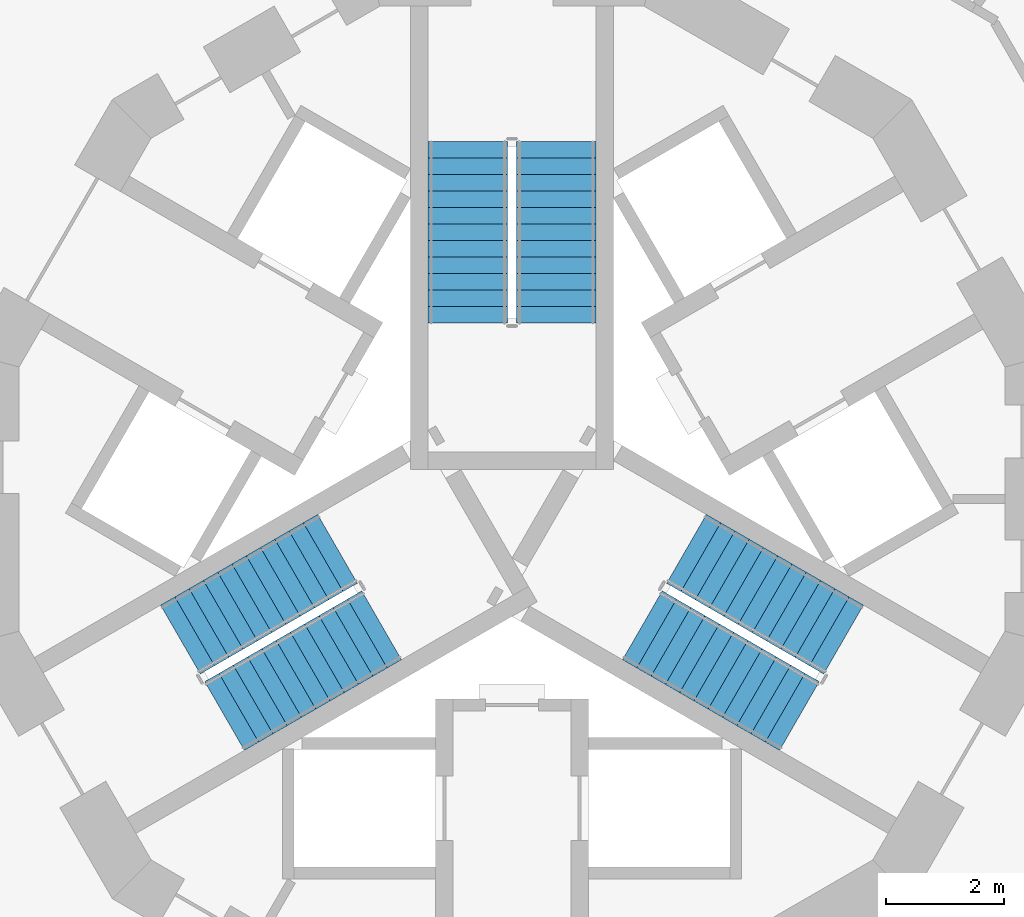
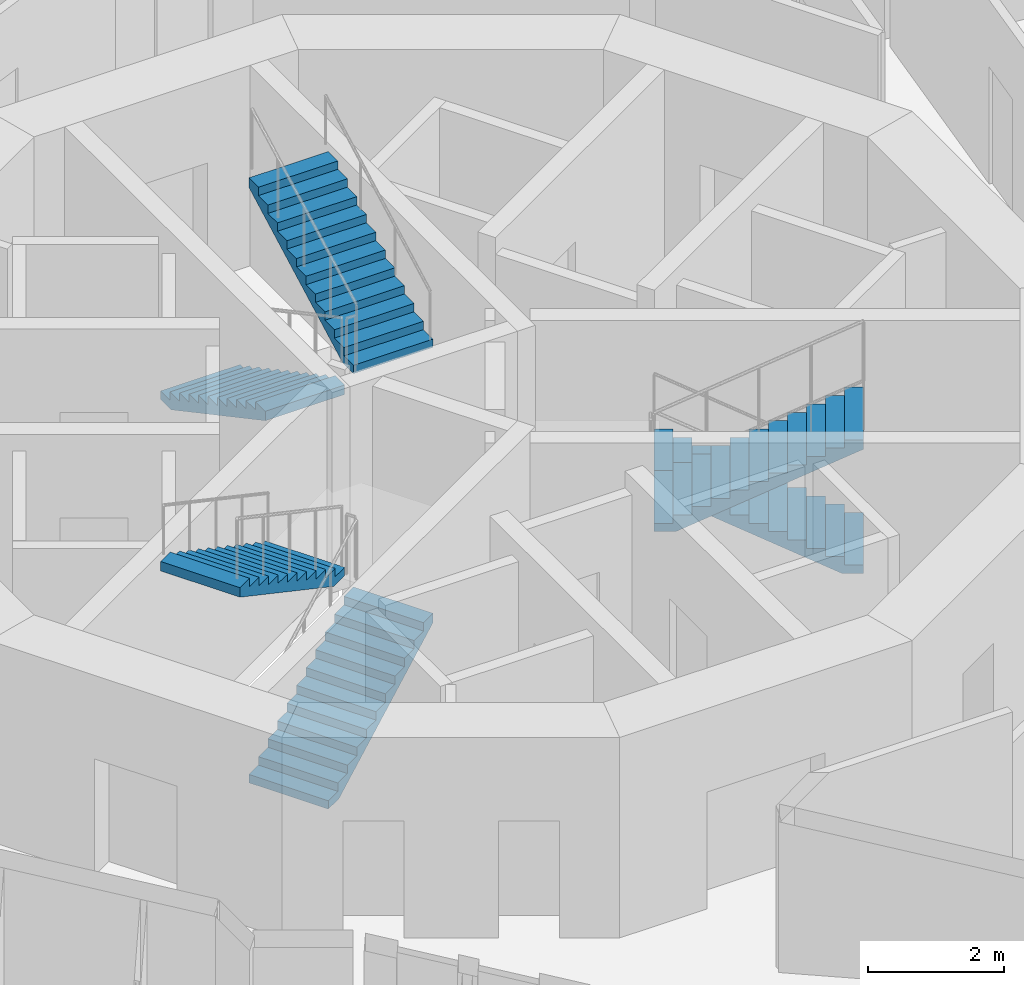
# One storey, part 11 of 19: 6 stair flights, 3 elements without a shape of their own.
"""IFC4 building model written with IfcOpenShell, lengths in metres."""

from ifc_helpers import new_model, si_unit, direction, frame, origin, place, context, subcontext, project, spatial, polyline, outline, extrude, material, type_object, element, aggregate, save


model = new_model("IFC4")

# Units and contexts
model_context = context("Model", 3, precision=1e-05, world=origin(), true_north=direction((0.0, 1.0)))
body_context = subcontext(model_context, "Body", "Model", "MODEL_VIEW")
ifc_project = project(units=[si_unit("LENGTHUNIT", "METRE"), si_unit("AREAUNIT", "SQUARE_METRE"), si_unit("VOLUMEUNIT", "CUBIC_METRE"), si_unit("PLANEANGLEUNIT", "RADIAN"), si_unit("MASSUNIT", "GRAM", prefix="KILO")], contexts=[model_context])

# Site, building, storey
site_placement = place(None, origin())
site = spatial("IfcSite", under=ifc_project, at=site_placement, CompositionType="ELEMENT")
building_placement = place(site_placement, origin())
building = spatial("IfcBuilding", under=site, at=building_placement, Name="Trine Commons Tower", CompositionType="ELEMENT")
storey_placement = place(building_placement, frame((0.0, 0.0, 124.199951171875)))
storey = spatial("IfcBuildingStorey", under=building, at=storey_placement, Name="L31", CompositionType="ELEMENT", Elevation=124.199951171875)

# Stair, stair flights
ifc_material = material(Name="Concrete C50/60", Category="concrete")
stair_type = type_object("IfcStairType", Name="Exit stair, dog-leg, 24 risers of 150 mm", PredefinedType="HALF_TURN_STAIR", material=ifc_material)
stair_1_placement = place(storey_placement, origin())
stair_1 = element("IfcStair", 1, at=stair_1_placement, inside=storey, type_object=stair_type, Name="L31 Exit stair ST1B", PredefinedType="HALF_TURN_STAIR")
stair_flight_type = type_object("IfcStairFlightType", Name="Stair flight, 1350 wide, 12 risers of 150 mm", PredefinedType="STRAIGHT", material=ifc_material)
stair_flight_1_placement = place(storey_placement, frame((79.25, 68.570556640625, 0.0), z_axis=(0.0, 0.0, 1.0), x_axis=(0.0, -1.0, 0.0)))
stair_flight_1 = element("IfcStairFlight", 2, at=stair_flight_1_placement, type_object=stair_flight_type, Name="ST1B flight 1", NumberOfRisers=12, NumberOfTreads=11, PredefinedType="STRAIGHT", RiserHeight=0.15, TreadLength=0.28, context=body_context, shape_type="SweptSolid", body=[
    extrude(outline(polyline([(0.0, 0.0), (0.0, 0.14990234375), (0.280029296875, 0.14990234375), (0.280029296875, 0.300048828125), (0.56005859375, 0.300048828125), (0.56005859375, 0.449951171875), (0.840087890625, 0.449951171875), (0.840087890625, 0.60009765625), (1.1201171875, 0.60009765625), (1.1201171875, 0.75), (1.39990234375, 0.75), (1.39990234375, 0.89990234375), (1.679931640625, 0.89990234375), (1.679931640625, 1.050048828125), (1.9599609375, 1.050048828125), (1.9599609375, 1.199951171875), (2.239990234375, 1.199951171875), (2.239990234375, 1.35009765625), (2.52001953125, 1.35009765625), (2.52001953125, 1.5), (2.800048828125, 1.5), (2.800048828125, 1.64990234375), (3.080078125, 1.64990234375), (3.080078125, 1.800048828125), (3.080078125, 1.47998046875), (0.3173828125, 0.0), (0.0, 0.0)])), frame((0.0, 0.675048828125, 0.0), z_axis=(0.0, -1.0, 0.0), x_axis=(1.0, 0.0, 0.0)), (0.0, 0.0, 1.0), 1.35009765625),
])
stair_flight_2_placement = place(storey_placement, frame((80.75, 65.490478515625, 1.800048828125), z_axis=(0.0, 0.0, 1.0), x_axis=(0.0, 1.0, 0.0)))
stair_flight_2 = element("IfcStairFlight", 3, at=stair_flight_2_placement, type_object=stair_flight_type, Name="ST1B flight 2", NumberOfRisers=12, NumberOfTreads=11, PredefinedType="STRAIGHT", RiserHeight=0.15, TreadLength=0.28, context=body_context, shape_type="SweptSolid", body=[
    extrude(outline(polyline([(0.0, 0.0), (0.0, 0.14990234375), (0.280029296875, 0.14990234375), (0.280029296875, 0.300048828125), (0.56005859375, 0.300048828125), (0.56005859375, 0.449951171875), (0.840087890625, 0.449951171875), (0.840087890625, 0.60009765625), (1.1201171875, 0.60009765625), (1.1201171875, 0.75), (1.39990234375, 0.75), (1.39990234375, 0.89990234375), (1.679931640625, 0.89990234375), (1.679931640625, 1.050048828125), (1.9599609375, 1.050048828125), (1.9599609375, 1.199951171875), (2.239990234375, 1.199951171875), (2.239990234375, 1.35009765625), (2.52001953125, 1.35009765625), (2.52001953125, 1.5), (2.800048828125, 1.5), (2.800048828125, 1.64990234375), (3.080078125, 1.64990234375), (3.080078125, 1.800048828125), (3.080078125, 1.47998046875), (0.3173828125, 0.0), (0.0, 0.0)])), frame((0.0, 0.675048828125, 0.0), z_axis=(0.0, -1.0, 0.0), x_axis=(1.0, 0.0, 0.0)), (0.0, 0.0, 1.0), 1.35009765625),
])
aggregate(stair_1, [stair_flight_1, stair_flight_2])

stair_2_placement = place(storey_placement, origin())
stair_2 = element("IfcStair", 4, at=stair_2_placement, inside=storey, type_object=stair_type, Name="L31 Exit stair ST2B", PredefinedType="HALF_TURN_STAIR")
stair_flight_3_placement = place(storey_placement, frame((75.11767578125, 58.815185546875, 0.0), z_axis=(0.0, 0.0, 1.0), x_axis=(0.866025403784, 0.5, 0.0)))
stair_flight_3 = element("IfcStairFlight", 5, at=stair_flight_3_placement, type_object=stair_flight_type, Name="ST2B flight 1", NumberOfRisers=12, NumberOfTreads=11, PredefinedType="STRAIGHT", RiserHeight=0.15, TreadLength=0.28, context=body_context, shape_type="SweptSolid", body=[
    extrude(outline(polyline([(0.0, 0.0), (0.0, 0.14990234375), (0.280029296875, 0.14990234375), (0.280029296875, 0.300048828125), (0.56005859375, 0.300048828125), (0.56005859375, 0.449951171875), (0.840087890625, 0.449951171875), (0.840087890625, 0.60009765625), (1.1201171875, 0.60009765625), (1.1201171875, 0.75), (1.39990234375, 0.75), (1.39990234375, 0.89990234375), (1.679931640625, 0.89990234375), (1.679931640625, 1.050048828125), (1.9599609375, 1.050048828125), (1.9599609375, 1.199951171875), (2.239990234375, 1.199951171875), (2.239990234375, 1.35009765625), (2.52001953125, 1.35009765625), (2.52001953125, 1.5), (2.800048828125, 1.5), (2.800048828125, 1.64990234375), (3.080078125, 1.64990234375), (3.080078125, 1.800048828125), (3.080078125, 1.47998046875), (0.3173828125, 0.0), (0.0, 0.0)])), frame((0.0, 0.675048828125, 0.0), z_axis=(0.0, -1.0, 0.0), x_axis=(1.0, 0.0, 0.0)), (0.0, 0.0, 1.0), 1.35009765625),
])
stair_flight_4_placement = place(storey_placement, frame((77.03515625, 61.654296875, 1.800048828125), z_axis=(0.0, 0.0, 1.0), x_axis=(-0.866025403784, -0.5, 0.0)))
stair_flight_4 = element("IfcStairFlight", 6, at=stair_flight_4_placement, type_object=stair_flight_type, Name="ST2B flight 2", NumberOfRisers=12, NumberOfTreads=11, PredefinedType="STRAIGHT", RiserHeight=0.15, TreadLength=0.28, context=body_context, shape_type="SweptSolid", body=[
    extrude(outline(polyline([(0.0, 0.0), (0.0, 0.14990234375), (0.280029296875, 0.14990234375), (0.280029296875, 0.300048828125), (0.56005859375, 0.300048828125), (0.56005859375, 0.449951171875), (0.840087890625, 0.449951171875), (0.840087890625, 0.60009765625), (1.1201171875, 0.60009765625), (1.1201171875, 0.75), (1.39990234375, 0.75), (1.39990234375, 0.89990234375), (1.679931640625, 0.89990234375), (1.679931640625, 1.050048828125), (1.9599609375, 1.050048828125), (1.9599609375, 1.199951171875), (2.239990234375, 1.199951171875), (2.239990234375, 1.35009765625), (2.52001953125, 1.35009765625), (2.52001953125, 1.5), (2.800048828125, 1.5), (2.800048828125, 1.64990234375), (3.080078125, 1.64990234375), (3.080078125, 1.800048828125), (3.080078125, 1.47998046875), (0.3173828125, 0.0), (0.0, 0.0)])), frame((0.0, 0.675048828125, 0.0), z_axis=(0.0, -1.0, 0.0), x_axis=(1.0, 0.0, 0.0)), (0.0, 0.0, 1.0), 1.35009765625),
])
aggregate(stair_2, [stair_flight_3, stair_flight_4])

stair_3_placement = place(storey_placement, origin())
stair_3 = element("IfcStair", 7, at=stair_3_placement, inside=storey, type_object=stair_type, Name="L31 Exit stair ST3B", PredefinedType="HALF_TURN_STAIR")
stair_flight_5_placement = place(storey_placement, frame((85.63232421875, 60.1142578125, 0.0), z_axis=(0.0, 0.0, 1.0), x_axis=(-0.866025403784, 0.5, 0.0)))
stair_flight_5 = element("IfcStairFlight", 8, at=stair_flight_5_placement, type_object=stair_flight_type, Name="ST3B flight 1", NumberOfRisers=12, NumberOfTreads=11, PredefinedType="STRAIGHT", RiserHeight=0.15, TreadLength=0.28, context=body_context, shape_type="SweptSolid", body=[
    extrude(outline(polyline([(0.0, 0.0), (0.0, 0.14990234375), (0.280029296875, 0.14990234375), (0.280029296875, 0.300048828125), (0.56005859375, 0.300048828125), (0.56005859375, 0.449951171875), (0.840087890625, 0.449951171875), (0.840087890625, 0.60009765625), (1.1201171875, 0.60009765625), (1.1201171875, 0.75), (1.39990234375, 0.75), (1.39990234375, 0.89990234375), (1.679931640625, 0.89990234375), (1.679931640625, 1.050048828125), (1.9599609375, 1.050048828125), (1.9599609375, 1.199951171875), (2.239990234375, 1.199951171875), (2.239990234375, 1.35009765625), (2.52001953125, 1.35009765625), (2.52001953125, 1.5), (2.800048828125, 1.5), (2.800048828125, 1.64990234375), (3.080078125, 1.64990234375), (3.080078125, 1.800048828125), (3.080078125, 1.47998046875), (0.3173828125, 0.0), (0.0, 0.0)])), frame((0.0, 0.675048828125, 0.0), z_axis=(0.0, -1.0, 0.0), x_axis=(1.0, 0.0, 0.0)), (0.0, 0.0, 1.0), 1.35009765625),
])
stair_flight_6_placement = place(storey_placement, frame((82.21484375, 60.355224609375, 1.800048828125), z_axis=(0.0, 0.0, 1.0), x_axis=(0.866025403784, -0.5, 0.0)))
stair_flight_6 = element("IfcStairFlight", 9, at=stair_flight_6_placement, type_object=stair_flight_type, Name="ST3B flight 2", NumberOfRisers=12, NumberOfTreads=11, PredefinedType="STRAIGHT", RiserHeight=0.15, TreadLength=0.28, context=body_context, shape_type="SweptSolid", body=[
    extrude(outline(polyline([(0.0, 0.0), (0.0, 0.14990234375), (0.280029296875, 0.14990234375), (0.280029296875, 0.300048828125), (0.56005859375, 0.300048828125), (0.56005859375, 0.449951171875), (0.840087890625, 0.449951171875), (0.840087890625, 0.60009765625), (1.1201171875, 0.60009765625), (1.1201171875, 0.75), (1.39990234375, 0.75), (1.39990234375, 0.89990234375), (1.679931640625, 0.89990234375), (1.679931640625, 1.050048828125), (1.9599609375, 1.050048828125), (1.9599609375, 1.199951171875), (2.239990234375, 1.199951171875), (2.239990234375, 1.35009765625), (2.52001953125, 1.35009765625), (2.52001953125, 1.5), (2.800048828125, 1.5), (2.800048828125, 1.64990234375), (3.080078125, 1.64990234375), (3.080078125, 1.800048828125), (3.080078125, 1.47998046875), (0.3173828125, 0.0), (0.0, 0.0)])), frame((0.0, 0.675048828125, 0.0), z_axis=(0.0, -1.0, 0.0), x_axis=(1.0, 0.0, 0.0)), (0.0, 0.0, 1.0), 1.35009765625),
])
aggregate(stair_3, [stair_flight_5, stair_flight_6])

save(model, "model.ifc")
